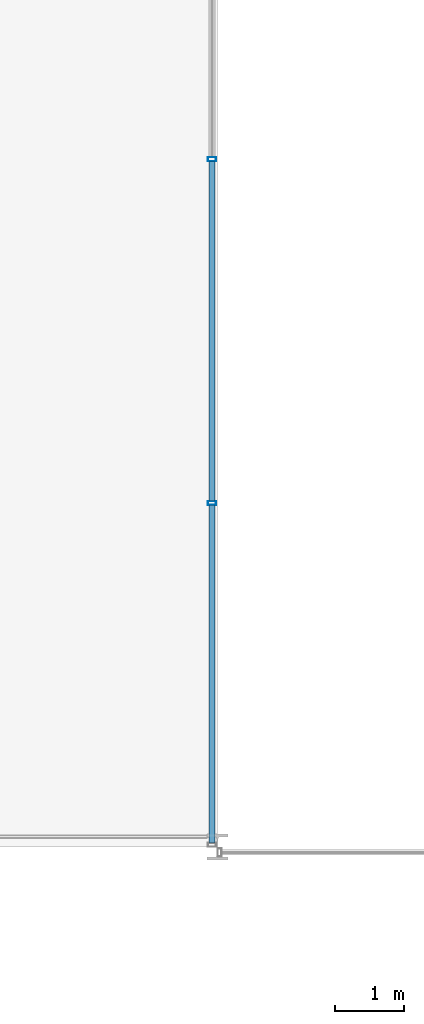
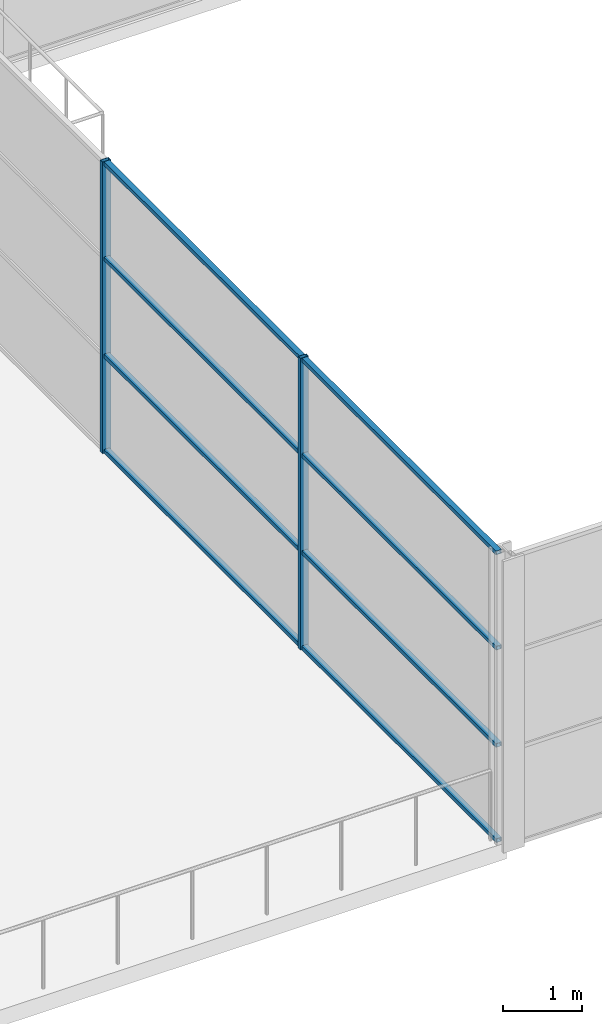
# One storey, part 15 of 70: 10 members, 1 element without a shape of its own.
"""IFC4 building model written with IfcOpenShell, lengths in metres."""

import ifcopenshell
import ifcopenshell.guid

model = None  # the IFC model being written
_history = None  # IfcOwnerHistory: only IFC2X3 demands one
_inside = {}  # id of a spatial element -> (the spatial element, [elements in it])
_under = {}  # id of a project, library or spatial element -> (it, [spatial elements below it])
_declared = {}  # id of a project -> (the project, [libraries it declares])
_typed = {}  # id of a type object -> (the type object, [elements of that type])
_made_of = {}  # id of a material, layer set ... -> (it, [elements and type objects made of it])


def new_model(schema):
    """Start an empty IFC model of exactly this schema.

    Asked for "IFC4X3", IfcOpenShell would pick the latest addendum, in which some entities
    have other attributes; the version numbers below select the first issue.
    IFC2X3 requires an IfcOwnerHistory on every rooted entity: one is made here for all.
    """
    global model, _history
    if schema == "IFC4X3":
        model = ifcopenshell.file(schema_version=(4, 3, 0, 0))
    else:
        model = ifcopenshell.file(schema=schema)
    _inside.clear()
    _under.clear()
    _declared.clear()
    _typed.clear()
    _made_of.clear()
    _history = None
    if model.schema == "IFC2X3":
        org = make("IfcOrganization", Name="unknown")
        user = make(
            "IfcPersonAndOrganization",
            ThePerson=make("IfcPerson", FamilyName="unknown"),
            TheOrganization=org,
        )
        app = make(
            "IfcApplication",
            ApplicationDeveloper=org,
            Version="unknown",
            ApplicationFullName="unknown",
            ApplicationIdentifier="unknown",
        )
        _history = make(
            "IfcOwnerHistory",
            OwningUser=user,
            OwningApplication=app,
            ChangeAction="ADDED",
            CreationDate=0,
        )
    return model


def make(cls, **values):
    """One entity of the class cls with the attributes given. An attribute that is None is left unset."""
    return model.create_entity(
        cls, **{name: value for name, value in values.items() if value is not None}
    )


def rooted(cls, **values):
    """An entity with a GlobalId (a new one), such as an element, a storey or a relation."""
    return make(cls, GlobalId=ifcopenshell.guid.new(), OwnerHistory=_history, **values)


def si_unit(unit_type, name, prefix=None):
    """IfcSIUnit, for example si_unit("LENGTHUNIT", "METRE", prefix="MILLI")."""
    return make("IfcSIUnit", UnitType=unit_type, Prefix=prefix, Name=name)


def assignment(units):
    """IfcUnitAssignment: the units of a project."""
    return None if units is None else make("IfcUnitAssignment", Units=units)


def point(xyz):
    """IfcCartesianPoint."""
    return None if xyz is None else make("IfcCartesianPoint", Coordinates=xyz)


def direction(xyz):
    """IfcDirection."""
    return None if xyz is None else make("IfcDirection", DirectionRatios=xyz)


def frame(location, z_axis=None, x_axis=None):
    """IfcAxis2Placement3D, a coordinate frame: its origin and axes. An axis left out is left unset."""
    return make(
        "IfcAxis2Placement3D",
        Location=point(location),
        Axis=direction(z_axis),
        RefDirection=direction(x_axis),
    )


def frame_2d(location, x_axis=None):
    """IfcAxis2Placement2D, a coordinate frame in the plane: its origin and x axis."""
    return make(
        "IfcAxis2Placement2D", Location=point(location), RefDirection=direction(x_axis)
    )


def origin():
    """The frame at (0, 0, 0) with its axes left unset."""
    return frame((0.0, 0.0, 0.0))


def origin_2d():
    """The frame at (0, 0) in the plane with its x axis left unset."""
    return frame_2d((0.0, 0.0))


def place(relative_to, where):
    """IfcLocalPlacement: puts the frame where relative to a parent placement (None: the world)."""
    return make(
        "IfcLocalPlacement", PlacementRelTo=relative_to, RelativePlacement=where
    )


def context(
    kind, dimensions, precision=None, world=None, true_north=None, identifier=None
):
    """IfcGeometricRepresentationContext, for example the 3D "Model" context."""
    return make(
        "IfcGeometricRepresentationContext",
        ContextIdentifier=identifier,
        ContextType=kind,
        CoordinateSpaceDimension=dimensions,
        Precision=precision,
        WorldCoordinateSystem=world,
        TrueNorth=true_north,
    )


def subcontext(parent, identifier, kind, view, scale=None):
    """IfcGeometricRepresentationSubContext, for example "Body" below "Model"."""
    return make(
        "IfcGeometricRepresentationSubContext",
        ContextIdentifier=identifier,
        ContextType=kind,
        ParentContext=parent,
        TargetScale=scale,
        TargetView=view,
    )


def project(units=None, contexts=None):
    """IfcProject with its units and contexts."""
    return rooted(
        "IfcProject",
        Name="project",
        RepresentationContexts=contexts,
        UnitsInContext=assignment(units),
    )


def spatial(cls, under=None, at=None, **own):
    """A site, building, storey or space (cls), placed at a placement, below another one or the project."""
    s = rooted(cls, ObjectPlacement=at, **own)
    if under is not None:
        _under.setdefault(under.id(), (under, []))[1].append(s)
    return s


def profile(cls, at=None, kind="AREA", **sizes):
    """A parametric profile (cls). Its sizes go by their IFC names, for example OverallWidth=200.0."""
    return make(cls, ProfileType=kind, Position=at, **sizes)


def hollow_rectangle(**sizes):
    """IfcRectangleHollowProfileDef."""
    return profile("IfcRectangleHollowProfileDef", **sizes)


def extrude(swept, where, along, depth):
    """IfcExtrudedAreaSolid: the profile swept, set in the frame where, extruded along a direction by depth."""
    return make(
        "IfcExtrudedAreaSolid",
        SweptArea=swept,
        Position=where,
        ExtrudedDirection=direction(along),
        Depth=depth,
    )


def shape(context_of_items, identifier, shape_type, items):
    """IfcShapeRepresentation: the items that make up one representation, for example the "Body"."""
    return make(
        "IfcShapeRepresentation",
        ContextOfItems=context_of_items,
        RepresentationIdentifier=identifier,
        RepresentationType=shape_type,
        Items=items,
    )


def material(Name=None, Category=None):
    """IfcMaterial."""
    return make("IfcMaterial", Name=Name, Category=Category)


def material_profile(
    of_material, cross_section, Name=None, Category=None, Priority=None
):
    """IfcMaterialProfile: a cross section and its material."""
    return make(
        "IfcMaterialProfile",
        Name=Name,
        Material=of_material,
        Profile=cross_section,
        Priority=Priority,
        Category=Category,
    )


def profile_set(profiles, Name=None, composite=None):
    """IfcMaterialProfileSet."""
    return make(
        "IfcMaterialProfileSet",
        Name=Name,
        MaterialProfiles=profiles,
        CompositeProfile=composite,
    )


def made_of(thing, what):
    """Note that an element or type object is made of a material, layer set ...; save() writes the relation."""
    if what is not None:
        _made_of.setdefault(what.id(), (what, []))[1].append(thing)
    return thing


def type_object(cls, material=None, **own):
    """A type object (cls), such as IfcWallType, which elements share."""
    return made_of(rooted(cls, **own), material)


def element(
    cls,
    number,
    at=None,
    inside=None,
    cuts=None,
    type_object=None,
    material=None,
    context=None,
    identifier="Body",
    shape_type=None,
    held_by="IfcProductDefinitionShape",
    body=None,
    shapes=None,
    **own,
):
    """One element of the class cls, such as IfcWall. Its Tag is "e" and its number.

    at: its placement. inside: the storey or other place that contains it. cuts: it is an
    opening in that element (IfcRelVoidsElement). A single representation is given by context,
    identifier, shape_type and body (its items); several are given by shapes. held_by: the class
    of the entity that holds the representations. save() writes the other relations.
    """
    e = rooted(cls, Tag="e%d" % number, ObjectPlacement=at, **own)
    if body is not None:
        shapes = [shape(context, identifier, shape_type, body)]
    if shapes is not None:
        e.Representation = make(held_by, Representations=shapes)
    if inside is not None:
        _inside.setdefault(inside.id(), (inside, []))[1].append(e)
    if cuts is not None:
        rooted(
            "IfcRelVoidsElement", RelatingBuildingElement=cuts, RelatedOpeningElement=e
        )
    if type_object is not None:
        _typed.setdefault(type_object.id(), (type_object, []))[1].append(e)
    return made_of(e, material)


def aggregate(whole, parts):
    """IfcRelAggregates: a whole, such as a stair, and the parts it consists of."""
    return rooted("IfcRelAggregates", RelatingObject=whole, RelatedObjects=parts)


def save(model, path):
    """Write the relations noted so far, then the file.

    IfcRelAggregates (storeys below a building ...), IfcRelContainedInSpatialStructure (elements
    in a storey), IfcRelDefinesByType, IfcRelAssociatesMaterial and IfcRelDeclares: one each for
    every whole, place, type object, material and project.
    """
    for whole, parts in _under.values():
        aggregate(whole, parts)
    for where, things in _inside.values():
        rooted(
            "IfcRelContainedInSpatialStructure",
            RelatedElements=things,
            RelatingStructure=where,
        )
    for kind, things in _typed.values():
        rooted("IfcRelDefinesByType", RelatedObjects=things, RelatingType=kind)
    for what, things in _made_of.values():
        rooted("IfcRelAssociatesMaterial", RelatedObjects=things, RelatingMaterial=what)
    for by, libraries in _declared.values():
        rooted("IfcRelDeclares", RelatingContext=by, RelatedDefinitions=libraries)
    model.write(path)


model = new_model("IFC4")

# Units and contexts
model_context = context("Model", 3, precision=1e-05, world=origin(), true_north=direction((0.0, 1.0)))
body_context = subcontext(model_context, "Body", "Model", "MODEL_VIEW")
ifc_project = project(units=[si_unit("LENGTHUNIT", "METRE"), si_unit("AREAUNIT", "SQUARE_METRE"), si_unit("VOLUMEUNIT", "CUBIC_METRE"), si_unit("PLANEANGLEUNIT", "RADIAN"), si_unit("MASSUNIT", "GRAM", prefix="KILO")], contexts=[model_context])

# Site, building, storey
site_placement = place(None, origin())
site = spatial("IfcSite", under=ifc_project, at=site_placement, CompositionType="ELEMENT")
building_placement = place(site_placement, origin())
building = spatial("IfcBuilding", under=site, at=building_placement, Name="Kallimachos Central Library", CompositionType="ELEMENT")
storey_placement = place(building_placement, frame((0.0, 0.0, 18.89990234375)))
storey = spatial("IfcBuildingStorey", under=building, at=storey_placement, Name="L04", CompositionType="ELEMENT", Elevation=18.89990234375)

# Curtain wall, members
ifc_material_1 = material(Name="Aluminium and laminated glass", Category="aluminium")
curtain_wall_type = type_object("IfcCurtainWallType", Name="Atrium glazed screen", PredefinedType="NOTDEFINED", material=ifc_material_1)
curtain_wall_placement = place(storey_placement, origin())
curtain_wall = element("IfcCurtainWall", 1, at=curtain_wall_placement, inside=storey, type_object=curtain_wall_type, Name="L04 atrium screen W", PredefinedType="NOTDEFINED")
ifc_material_2 = material(Name="Anodised aluminium", Category="aluminium")
ifc_material_profile_1 = material_profile(ifc_material_2, hollow_rectangle(XDim=0.06005859375, YDim=0.1201171875, WallThickness=0.00390625, at=origin_2d()), Name="ALU MULLION 60x120")
ifc_profile_set_1 = profile_set([ifc_material_profile_1], Name="Anodised aluminium")
member_type_1 = type_object("IfcMemberType", Name="Atrium screen mullion", PredefinedType="MULLION", material=ifc_profile_set_1)
member_1_placement = place(storey_placement, frame((74.419921875, 62.0, 0.0), z_axis=(0.0, 0.0, 1.0), x_axis=(0.0, 1.0, 0.0)))
member_1 = element("IfcMember", 2, at=member_1_placement, type_object=member_type_1, Name="CW mullion 2", PredefinedType="MULLION", context=body_context, shape_type="SweptSolid", body=[
    extrude(hollow_rectangle(XDim=0.06005859375, YDim=0.1201171875, WallThickness=0.00390625, at=origin_2d()), origin(), (0.0, 0.0, 1.0), 4.5),
])
member_2_placement = place(storey_placement, frame((74.419921875, 67.0, 0.0), z_axis=(0.0, 0.0, 1.0), x_axis=(0.0, 1.0, 0.0)))
member_2 = element("IfcMember", 3, at=member_2_placement, type_object=member_type_1, Name="CW mullion 3", PredefinedType="MULLION", context=body_context, shape_type="SweptSolid", body=[
    extrude(hollow_rectangle(XDim=0.06005859375, YDim=0.1201171875, WallThickness=0.00390625, at=origin_2d()), origin(), (0.0, 0.0, 1.0), 4.5),
])
ifc_material_3 = material(Name="Anodised aluminium", Category="aluminium")
ifc_material_profile_2 = material_profile(ifc_material_3, hollow_rectangle(XDim=0.06005859375, YDim=0.080078125, WallThickness=0.00390625, at=origin_2d()), Name="ALU TRANSOM 60x80")
ifc_profile_set_2 = profile_set([ifc_material_profile_2], Name="Anodised aluminium")
member_type_2 = type_object("IfcMemberType", Name="Atrium screen transom", PredefinedType="USERDEFINED", material=ifc_profile_set_2)
member_3_placement = place(storey_placement, frame((74.419921875, 57.06005859375, 0.030029296875), z_axis=(0.0, 1.0, 0.0), x_axis=(0.0, 0.0, 1.0)))
member_3 = element("IfcMember", 4, at=member_3_placement, type_object=member_type_2, Name="CW transom 1.1", ObjectType="TRANSOM", PredefinedType="USERDEFINED", context=body_context, shape_type="SweptSolid", body=[
    extrude(hollow_rectangle(XDim=0.06005859375, YDim=0.080078125, WallThickness=0.00390625, at=origin_2d()), origin(), (0.0, 0.0, 1.0), 4.909912109375),
])
member_4_placement = place(storey_placement, frame((74.419921875, 57.06005859375, 1.5), z_axis=(0.0, 1.0, 0.0), x_axis=(0.0, 0.0, 1.0)))
member_4 = element("IfcMember", 5, at=member_4_placement, type_object=member_type_2, Name="CW transom 1.2", ObjectType="TRANSOM", PredefinedType="USERDEFINED", context=body_context, shape_type="SweptSolid", body=[
    extrude(hollow_rectangle(XDim=0.06005859375, YDim=0.080078125, WallThickness=0.00390625, at=origin_2d()), origin(), (0.0, 0.0, 1.0), 4.909912109375),
])
member_5_placement = place(storey_placement, frame((74.419921875, 57.06005859375, 3.0), z_axis=(0.0, 1.0, 0.0), x_axis=(0.0, 0.0, 1.0)))
member_5 = element("IfcMember", 6, at=member_5_placement, type_object=member_type_2, Name="CW transom 1.3", ObjectType="TRANSOM", PredefinedType="USERDEFINED", context=body_context, shape_type="SweptSolid", body=[
    extrude(hollow_rectangle(XDim=0.06005859375, YDim=0.080078125, WallThickness=0.00390625, at=origin_2d()), origin(), (0.0, 0.0, 1.0), 4.909912109375),
])
member_6_placement = place(storey_placement, frame((74.419921875, 57.06005859375, 4.47021484375), z_axis=(0.0, 1.0, 0.0), x_axis=(0.0, 0.0, 1.0)))
member_6 = element("IfcMember", 7, at=member_6_placement, type_object=member_type_2, Name="CW transom 1.4", ObjectType="TRANSOM", PredefinedType="USERDEFINED", context=body_context, shape_type="SweptSolid", body=[
    extrude(hollow_rectangle(XDim=0.06005859375, YDim=0.080078125, WallThickness=0.00390625, at=origin_2d()), origin(), (0.0, 0.0, 1.0), 4.909912109375),
])
member_7_placement = place(storey_placement, frame((74.419921875, 62.030029296875, 0.030029296875), z_axis=(0.0, 1.0, 0.0), x_axis=(0.0, 0.0, 1.0)))
member_7 = element("IfcMember", 8, at=member_7_placement, type_object=member_type_2, Name="CW transom 2.1", ObjectType="TRANSOM", PredefinedType="USERDEFINED", context=body_context, shape_type="SweptSolid", body=[
    extrude(hollow_rectangle(XDim=0.06005859375, YDim=0.080078125, WallThickness=0.00390625, at=origin_2d()), origin(), (0.0, 0.0, 1.0), 4.93994140625),
])
member_8_placement = place(storey_placement, frame((74.419921875, 62.030029296875, 1.5), z_axis=(0.0, 1.0, 0.0), x_axis=(0.0, 0.0, 1.0)))
member_8 = element("IfcMember", 9, at=member_8_placement, type_object=member_type_2, Name="CW transom 2.2", ObjectType="TRANSOM", PredefinedType="USERDEFINED", context=body_context, shape_type="SweptSolid", body=[
    extrude(hollow_rectangle(XDim=0.06005859375, YDim=0.080078125, WallThickness=0.00390625, at=origin_2d()), origin(), (0.0, 0.0, 1.0), 4.93994140625),
])
member_9_placement = place(storey_placement, frame((74.419921875, 62.030029296875, 3.0), z_axis=(0.0, 1.0, 0.0), x_axis=(0.0, 0.0, 1.0)))
member_9 = element("IfcMember", 10, at=member_9_placement, type_object=member_type_2, Name="CW transom 2.3", ObjectType="TRANSOM", PredefinedType="USERDEFINED", context=body_context, shape_type="SweptSolid", body=[
    extrude(hollow_rectangle(XDim=0.06005859375, YDim=0.080078125, WallThickness=0.00390625, at=origin_2d()), origin(), (0.0, 0.0, 1.0), 4.93994140625),
])
member_10_placement = place(storey_placement, frame((74.419921875, 62.030029296875, 4.47021484375), z_axis=(0.0, 1.0, 0.0), x_axis=(0.0, 0.0, 1.0)))
member_10 = element("IfcMember", 11, at=member_10_placement, type_object=member_type_2, Name="CW transom 2.4", ObjectType="TRANSOM", PredefinedType="USERDEFINED", context=body_context, shape_type="SweptSolid", body=[
    extrude(hollow_rectangle(XDim=0.06005859375, YDim=0.080078125, WallThickness=0.00390625, at=origin_2d()), origin(), (0.0, 0.0, 1.0), 4.93994140625),
])
aggregate(curtain_wall, [member_1, member_2, member_3, member_4, member_5, member_6, member_7, member_8, member_9, member_10])

save(model, "model.ifc")
